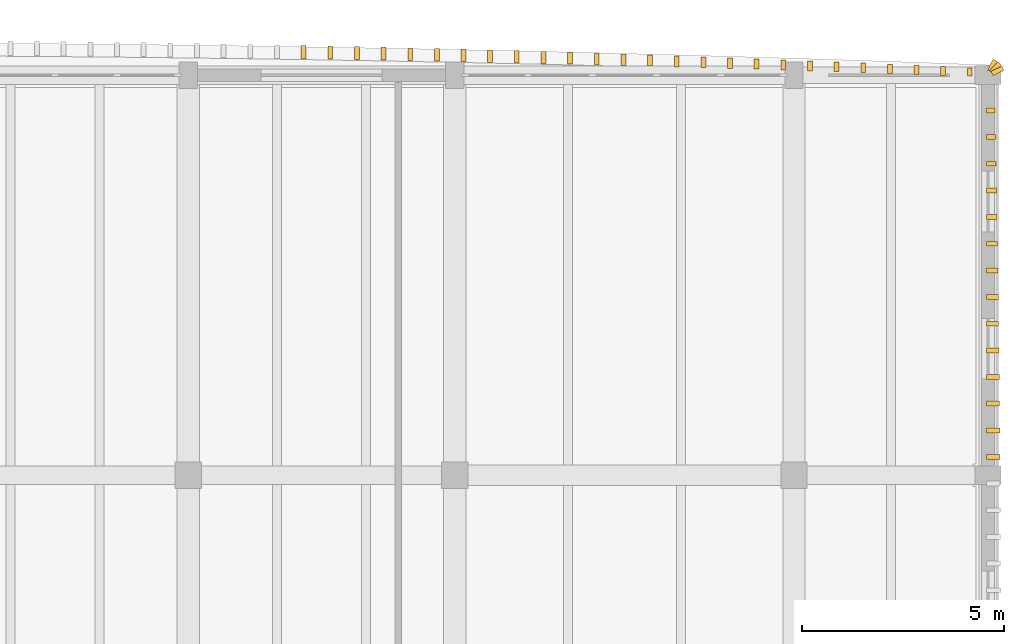
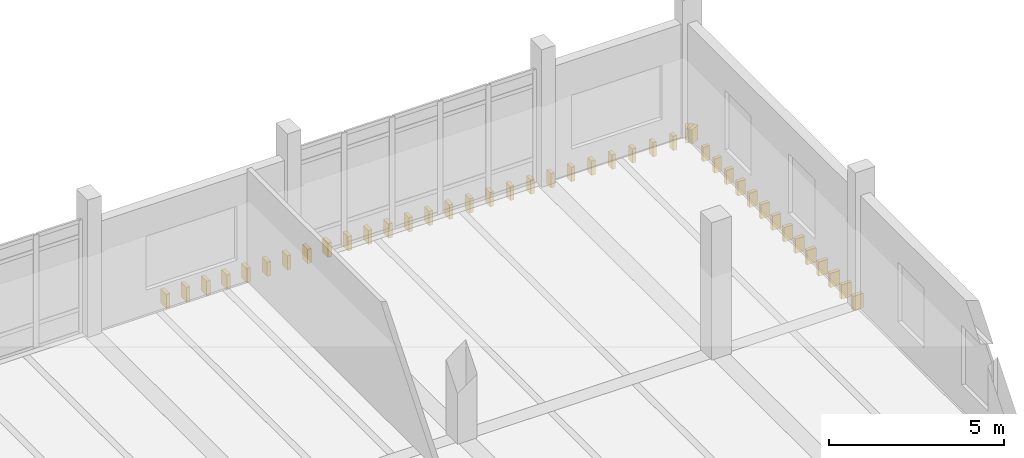
# One storey, part 50 of 50: 43 coverings.
"""IFC4 building model written with IfcOpenShell, lengths in metres."""

from ifc_helpers import new_model, si_unit, direction, frame, origin, origin_2d, place, context, subcontext, project, spatial, rectangle, extrude, material, layer, layer_set, type_object, element, save


model = new_model("IFC4")

# Units and contexts
model_context = context("Model", 3, precision=1e-05, world=origin(), true_north=direction((0.0, 1.0)))
body_context = subcontext(model_context, "Body", "Model", "MODEL_VIEW")
ifc_project = project(units=[si_unit("LENGTHUNIT", "METRE"), si_unit("AREAUNIT", "SQUARE_METRE"), si_unit("VOLUMEUNIT", "CUBIC_METRE"), si_unit("PLANEANGLEUNIT", "RADIAN"), si_unit("MASSUNIT", "GRAM", prefix="KILO")], contexts=[model_context])

# Site, building, storey
site_placement = place(None, origin())
site = spatial("IfcSite", under=ifc_project, at=site_placement, CompositionType="ELEMENT")
building_placement = place(site_placement, origin())
building = spatial("IfcBuilding", under=site, at=building_placement, Name="Dornvale Research Institute", CompositionType="ELEMENT")
storey_placement = place(building_placement, frame((0.0, 0.0, 19.800048828125)))
storey = spatial("IfcBuildingStorey", under=building, at=storey_placement, Name="L04", CompositionType="ELEMENT", Elevation=19.800048828125)

# Coverings
ifc_material = material(Name="Polychrome Glazed Terracotta Visor Rib Ceramic", Category="masonry")
ifc_layer = layer(ifc_material, 0.1201171875)
ifc_layer_set = layer_set([ifc_layer], Name="Polychrome Glazed Terracotta Visor Rib Ceramic")
covering_type = type_object("IfcCoveringType", Name="Covering_VisorBlade_Low", PredefinedType="CLADDING", material=ifc_layer_set)
covering_1_placement = place(storey_placement, frame((177.750244140625, 122.1787109375, -0.489990234375), z_axis=(0.0, 0.0, 1.0), x_axis=(0.0, 1.0, 0.0)))
element("IfcCovering", 1, at=covering_1_placement, inside=storey, type_object=covering_type, Name="L04 V4 canted glazed terracotta visor blade #2622", PredefinedType="CLADDING", context=body_context, shape_type="SweptSolid", body=[
    extrude(rectangle(XDim=0.205078125, YDim=0.1201171875, at=origin_2d()), origin(), (0.0, 0.0, 1.0), 0.5),
])
covering_2_placement = place(storey_placement, frame((177.0908203125, 122.205810546875, -0.489990234375), z_axis=(0.0, 0.0, 1.0), x_axis=(0.0, 1.0, 0.0)))
element("IfcCovering", 2, at=covering_2_placement, inside=storey, type_object=covering_type, Name="L04 V4 canted glazed terracotta visor blade #2623", PredefinedType="CLADDING", context=body_context, shape_type="SweptSolid", body=[
    extrude(rectangle(XDim=0.2119140625, YDim=0.1201171875, at=origin_2d()), origin(), (0.0, 0.0, 1.0), 0.5),
])
covering_3_placement = place(storey_placement, frame((176.43115234375, 122.232421875, -0.489990234375), z_axis=(0.0, 0.0, 1.0), x_axis=(0.0, 1.0, 0.0)))
element("IfcCovering", 3, at=covering_3_placement, inside=storey, type_object=covering_type, Name="L04 V4 canted glazed terracotta visor blade #2624", PredefinedType="CLADDING", context=body_context, shape_type="SweptSolid", body=[
    extrude(rectangle(XDim=0.218017578125, YDim=0.1201171875, at=origin_2d()), origin(), (0.0, 0.0, 1.0), 0.5),
])
covering_4_placement = place(storey_placement, frame((175.771484375, 122.25830078125, -0.489990234375), z_axis=(0.0, 0.0, 1.0), x_axis=(0.0, 1.0, 0.0)))
element("IfcCovering", 4, at=covering_4_placement, inside=storey, type_object=covering_type, Name="L04 V4 canted glazed terracotta visor blade #2625", PredefinedType="CLADDING", context=body_context, shape_type="SweptSolid", body=[
    extrude(rectangle(XDim=0.22509765625, YDim=0.1201171875, at=origin_2d()), origin(), (0.0, 0.0, 1.0), 0.5),
])
covering_5_placement = place(storey_placement, frame((175.11181640625, 122.2841796875, -0.489990234375), z_axis=(0.0, 0.0, 1.0), x_axis=(0.0, 1.0, 0.0)))
element("IfcCovering", 5, at=covering_5_placement, inside=storey, type_object=covering_type, Name="L04 V4 canted glazed terracotta visor blade #2626", PredefinedType="CLADDING", context=body_context, shape_type="SweptSolid", body=[
    extrude(rectangle(XDim=0.23193359375, YDim=0.1201171875, at=origin_2d()), origin(), (0.0, 0.0, 1.0), 0.5),
])
covering_6_placement = place(storey_placement, frame((174.4521484375, 122.30859375, -0.489990234375), z_axis=(0.0, 0.0, 1.0), x_axis=(0.0, 1.0, 0.0)))
element("IfcCovering", 6, at=covering_6_placement, inside=storey, type_object=covering_type, Name="L04 V4 canted glazed terracotta visor blade #2627", PredefinedType="CLADDING", context=body_context, shape_type="SweptSolid", body=[
    extrude(rectangle(XDim=0.238037109375, YDim=0.1201171875, at=origin_2d()), origin(), (0.0, 0.0, 1.0), 0.5),
])
covering_7_placement = place(storey_placement, frame((173.79248046875, 122.332763671875, -0.489990234375), z_axis=(0.0, 0.0, 1.0), x_axis=(0.0, 1.0, 0.0)))
element("IfcCovering", 7, at=covering_7_placement, inside=storey, type_object=covering_type, Name="L04 V4 canted glazed terracotta visor blade #2628", PredefinedType="CLADDING", context=body_context, shape_type="SweptSolid", body=[
    extrude(rectangle(XDim=0.243896484375, YDim=0.1201171875, at=origin_2d()), origin(), (0.0, 0.0, 1.0), 0.5),
])
covering_8_placement = place(storey_placement, frame((173.1328125, 122.356689453125, -0.489990234375), z_axis=(0.0, 0.0, 1.0), x_axis=(0.0, 1.0, 0.0)))
element("IfcCovering", 8, at=covering_8_placement, inside=storey, type_object=covering_type, Name="L04 V4 canted glazed terracotta visor blade #2629", PredefinedType="CLADDING", context=body_context, shape_type="SweptSolid", body=[
    extrude(rectangle(XDim=0.25, YDim=0.1201171875, at=origin_2d()), origin(), (0.0, 0.0, 1.0), 0.5),
])
covering_9_placement = place(storey_placement, frame((172.47314453125, 122.37939453125, -0.489990234375), z_axis=(0.0, 0.0, 1.0), x_axis=(0.0, 1.0, 0.0)))
element("IfcCovering", 9, at=covering_9_placement, inside=storey, type_object=covering_type, Name="L04 V4 canted glazed terracotta visor blade #2630", PredefinedType="CLADDING", context=body_context, shape_type="SweptSolid", body=[
    extrude(rectangle(XDim=0.256103515625, YDim=0.1201171875, at=origin_2d()), origin(), (0.0, 0.0, 1.0), 0.5),
])
covering_10_placement = place(storey_placement, frame((171.8134765625, 122.4013671875, -0.489990234375), z_axis=(0.0, 0.0, 1.0), x_axis=(0.0, 1.0, 0.0)))
element("IfcCovering", 10, at=covering_10_placement, inside=storey, type_object=covering_type, Name="L04 V4 canted glazed terracotta visor blade #2631", PredefinedType="CLADDING", context=body_context, shape_type="SweptSolid", body=[
    extrude(rectangle(XDim=0.260986328125, YDim=0.1201171875, at=origin_2d()), origin(), (0.0, 0.0, 1.0), 0.5),
])
covering_11_placement = place(storey_placement, frame((171.15380859375, 122.423095703125, -0.489990234375), z_axis=(0.0, 0.0, 1.0), x_axis=(0.0, 1.0, 0.0)))
element("IfcCovering", 11, at=covering_11_placement, inside=storey, type_object=covering_type, Name="L04 V4 canted glazed terracotta visor blade #2632", PredefinedType="CLADDING", context=body_context, shape_type="SweptSolid", body=[
    extrude(rectangle(XDim=0.26708984375, YDim=0.1201171875, at=origin_2d()), origin(), (0.0, 0.0, 1.0), 0.5),
])
covering_12_placement = place(storey_placement, frame((170.493896484375, 122.444091796875, -0.489990234375), z_axis=(0.0, 0.0, 1.0), x_axis=(0.0, 1.0, 0.0)))
element("IfcCovering", 12, at=covering_12_placement, inside=storey, type_object=covering_type, Name="L04 V4 canted glazed terracotta visor blade #2633", PredefinedType="CLADDING", context=body_context, shape_type="SweptSolid", body=[
    extrude(rectangle(XDim=0.27197265625, YDim=0.1201171875, at=origin_2d()), origin(), (0.0, 0.0, 1.0), 0.5),
])
covering_13_placement = place(storey_placement, frame((169.834228515625, 122.464599609375, -0.489990234375), z_axis=(0.0, 0.0, 1.0), x_axis=(0.0, 1.0, 0.0)))
element("IfcCovering", 13, at=covering_13_placement, inside=storey, type_object=covering_type, Name="L04 V4 canted glazed terracotta visor blade #2634", PredefinedType="CLADDING", context=body_context, shape_type="SweptSolid", body=[
    extrude(rectangle(XDim=0.277099609375, YDim=0.1201171875, at=origin_2d()), origin(), (0.0, 0.0, 1.0), 0.5),
])
covering_14_placement = place(storey_placement, frame((169.174560546875, 122.484130859375, -0.489990234375), z_axis=(0.0, 0.0, 1.0), x_axis=(0.0, 1.0, 0.0)))
element("IfcCovering", 14, at=covering_14_placement, inside=storey, type_object=covering_type, Name="L04 V4 canted glazed terracotta visor blade #2635", PredefinedType="CLADDING", context=body_context, shape_type="SweptSolid", body=[
    extrude(rectangle(XDim=0.281982421875, YDim=0.1201171875, at=origin_2d()), origin(), (0.0, 0.0, 1.0), 0.5),
])
covering_15_placement = place(storey_placement, frame((168.5146484375, 122.503662109375, -0.489990234375), z_axis=(0.0, 0.0, 1.0), x_axis=(0.0, 1.0, 0.0)))
element("IfcCovering", 15, at=covering_15_placement, inside=storey, type_object=covering_type, Name="L04 V4 canted glazed terracotta visor blade #2636", PredefinedType="CLADDING", context=body_context, shape_type="SweptSolid", body=[
    extrude(rectangle(XDim=0.287109375, YDim=0.1201171875, at=origin_2d()), origin(), (0.0, 0.0, 1.0), 0.5),
])
covering_16_placement = place(storey_placement, frame((167.85498046875, 122.522216796875, -0.489990234375), z_axis=(0.0, 0.0, 1.0), x_axis=(0.0, 1.0, 0.0)))
element("IfcCovering", 16, at=covering_16_placement, inside=storey, type_object=covering_type, Name="L04 V4 canted glazed terracotta visor blade #2637", PredefinedType="CLADDING", context=body_context, shape_type="SweptSolid", body=[
    extrude(rectangle(XDim=0.2919921875, YDim=0.1201171875, at=origin_2d()), origin(), (0.0, 0.0, 1.0), 0.5),
])
covering_17_placement = place(storey_placement, frame((167.195068359375, 122.540283203125, -0.489990234375), z_axis=(0.0, 0.0, 1.0), x_axis=(0.0, 1.0, 0.0)))
element("IfcCovering", 17, at=covering_17_placement, inside=storey, type_object=covering_type, Name="L04 V4 canted glazed terracotta visor blade #2638", PredefinedType="CLADDING", context=body_context, shape_type="SweptSolid", body=[
    extrude(rectangle(XDim=0.297119140625, YDim=0.1201171875, at=origin_2d()), origin(), (0.0, 0.0, 1.0), 0.5),
])
covering_18_placement = place(storey_placement, frame((166.535400390625, 122.5576171875, -0.489990234375), z_axis=(0.0, 0.0, 1.0), x_axis=(0.0, 1.0, 0.0)))
element("IfcCovering", 18, at=covering_18_placement, inside=storey, type_object=covering_type, Name="L04 V4 canted glazed terracotta visor blade #2639", PredefinedType="CLADDING", context=body_context, shape_type="SweptSolid", body=[
    extrude(rectangle(XDim=0.301025390625, YDim=0.1201171875, at=origin_2d()), origin(), (0.0, 0.0, 1.0), 0.5),
])
covering_19_placement = place(storey_placement, frame((165.87548828125, 122.57373046875, -0.489990234375), z_axis=(0.0, 0.0, 1.0), x_axis=(0.0, 1.0, 0.0)))
element("IfcCovering", 19, at=covering_19_placement, inside=storey, type_object=covering_type, Name="L04 V4 canted glazed terracotta visor blade #2640", PredefinedType="CLADDING", context=body_context, shape_type="SweptSolid", body=[
    extrude(rectangle(XDim=0.304931640625, YDim=0.1201171875, at=origin_2d()), origin(), (0.0, 0.0, 1.0), 0.5),
])
covering_20_placement = place(storey_placement, frame((165.215576171875, 122.590087890625, -0.489990234375), z_axis=(0.0, 0.0, 1.0), x_axis=(0.0, 1.0, 0.0)))
element("IfcCovering", 20, at=covering_20_placement, inside=storey, type_object=covering_type, Name="L04 V4 canted glazed terracotta visor blade #2641", PredefinedType="CLADDING", context=body_context, shape_type="SweptSolid", body=[
    extrude(rectangle(XDim=0.30908203125, YDim=0.1201171875, at=origin_2d()), origin(), (0.0, 0.0, 1.0), 0.5),
])
covering_21_placement = place(storey_placement, frame((164.5556640625, 122.60546875, -0.489990234375), z_axis=(0.0, 0.0, 1.0), x_axis=(0.0, 1.0, 0.0)))
element("IfcCovering", 21, at=covering_21_placement, inside=storey, type_object=covering_type, Name="L04 V4 canted glazed terracotta visor blade #2642", PredefinedType="CLADDING", context=body_context, shape_type="SweptSolid", body=[
    extrude(rectangle(XDim=0.31298828125, YDim=0.1201171875, at=origin_2d()), origin(), (0.0, 0.0, 1.0), 0.5),
])
covering_22_placement = place(storey_placement, frame((163.895751953125, 122.620361328125, -0.489990234375), z_axis=(0.0, 0.0, 1.0), x_axis=(0.0, 1.0, 0.0)))
element("IfcCovering", 22, at=covering_22_placement, inside=storey, type_object=covering_type, Name="L04 V4 canted glazed terracotta visor blade #2643", PredefinedType="CLADDING", context=body_context, shape_type="SweptSolid", body=[
    extrude(rectangle(XDim=0.31689453125, YDim=0.1201171875, at=origin_2d()), origin(), (0.0, 0.0, 1.0), 0.5),
])
covering_23_placement = place(storey_placement, frame((163.236083984375, 122.635009765625, -0.489990234375), z_axis=(0.0, 0.0, 1.0), x_axis=(0.0, 1.0, 0.0)))
element("IfcCovering", 23, at=covering_23_placement, inside=storey, type_object=covering_type, Name="L04 V4 canted glazed terracotta visor blade #2644", PredefinedType="CLADDING", context=body_context, shape_type="SweptSolid", body=[
    extrude(rectangle(XDim=0.321044921875, YDim=0.1201171875, at=origin_2d()), origin(), (0.0, 0.0, 1.0), 0.5),
])
covering_24_placement = place(storey_placement, frame((162.576171875, 122.648193359375, -0.489990234375), z_axis=(0.0, 0.0, 1.0), x_axis=(0.0, 1.0, 0.0)))
element("IfcCovering", 24, at=covering_24_placement, inside=storey, type_object=covering_type, Name="L04 V4 canted glazed terracotta visor blade #2645", PredefinedType="CLADDING", context=body_context, shape_type="SweptSolid", body=[
    extrude(rectangle(XDim=0.323974609375, YDim=0.1201171875, at=origin_2d()), origin(), (0.0, 0.0, 1.0), 0.5),
])
covering_25_placement = place(storey_placement, frame((161.916259765625, 122.6611328125, -0.489990234375), z_axis=(0.0, 0.0, 1.0), x_axis=(0.0, 1.0, 0.0)))
element("IfcCovering", 25, at=covering_25_placement, inside=storey, type_object=covering_type, Name="L04 V4 canted glazed terracotta visor blade #2646", PredefinedType="CLADDING", context=body_context, shape_type="SweptSolid", body=[
    extrude(rectangle(XDim=0.326904296875, YDim=0.1201171875, at=origin_2d()), origin(), (0.0, 0.0, 1.0), 0.5),
])
covering_26_placement = place(storey_placement, frame((161.256103515625, 122.673095703125, -0.489990234375), z_axis=(0.0, 0.0, 1.0), x_axis=(0.0, 1.0, 0.0)))
element("IfcCovering", 26, at=covering_26_placement, inside=storey, type_object=covering_type, Name="L04 V4 canted glazed terracotta visor blade #2647", PredefinedType="CLADDING", context=body_context, shape_type="SweptSolid", body=[
    extrude(rectangle(XDim=0.330078125, YDim=0.1201171875, at=origin_2d()), origin(), (0.0, 0.0, 1.0), 0.5),
])
covering_27_placement = place(storey_placement, frame((178.32958984375, 112.64990234375, -0.489990234375), z_axis=(0.0, 0.0, 1.0), x_axis=(1.0, 0.0, 0.0)))
element("IfcCovering", 27, at=covering_27_placement, inside=storey, type_object=covering_type, Name="L04 V4 canted glazed terracotta visor blade #2741", PredefinedType="CLADDING", context=body_context, shape_type="SweptSolid", body=[
    extrude(rectangle(XDim=0.339111328125, YDim=0.1201171875, at=origin_2d()), origin(), (0.0, 0.0, 1.0), 0.5),
])
covering_28_placement = place(storey_placement, frame((178.326416015625, 113.31005859375, -0.489990234375), z_axis=(0.0, 0.0, 1.0), x_axis=(1.0, 0.0, 0.0)))
element("IfcCovering", 28, at=covering_28_placement, inside=storey, type_object=covering_type, Name="L04 V4 canted glazed terracotta visor blade #2742", PredefinedType="CLADDING", context=body_context, shape_type="SweptSolid", body=[
    extrude(rectangle(XDim=0.3330078125, YDim=0.1201171875, at=origin_2d()), origin(), (0.0, 0.0, 1.0), 0.5),
])
covering_29_placement = place(storey_placement, frame((178.323486328125, 113.969970703125, -0.489990234375), z_axis=(0.0, 0.0, 1.0), x_axis=(1.0, 0.0, 0.0)))
element("IfcCovering", 29, at=covering_29_placement, inside=storey, type_object=covering_type, Name="L04 V4 canted glazed terracotta visor blade #2743", PredefinedType="CLADDING", context=body_context, shape_type="SweptSolid", body=[
    extrude(rectangle(XDim=0.326904296875, YDim=0.1201171875, at=origin_2d()), origin(), (0.0, 0.0, 1.0), 0.5),
])
covering_30_placement = place(storey_placement, frame((178.320068359375, 114.6298828125, -0.489990234375), z_axis=(0.0, 0.0, 1.0), x_axis=(1.0, 0.0, 0.0)))
element("IfcCovering", 30, at=covering_30_placement, inside=storey, type_object=covering_type, Name="L04 V4 canted glazed terracotta visor blade #2744", PredefinedType="CLADDING", context=body_context, shape_type="SweptSolid", body=[
    extrude(rectangle(XDim=0.320068359375, YDim=0.1201171875, at=origin_2d()), origin(), (0.0, 0.0, 1.0), 0.5),
])
covering_31_placement = place(storey_placement, frame((178.31640625, 115.2900390625, -0.489990234375), z_axis=(0.0, 0.0, 1.0), x_axis=(1.0, 0.0, 0.0)))
element("IfcCovering", 31, at=covering_31_placement, inside=storey, type_object=covering_type, Name="L04 V4 canted glazed terracotta visor blade #2745", PredefinedType="CLADDING", context=body_context, shape_type="SweptSolid", body=[
    extrude(rectangle(XDim=0.31298828125, YDim=0.1201171875, at=origin_2d()), origin(), (0.0, 0.0, 1.0), 0.5),
])
covering_32_placement = place(storey_placement, frame((178.3125, 115.949951171875, -0.489990234375), z_axis=(0.0, 0.0, 1.0), x_axis=(1.0, 0.0, 0.0)))
element("IfcCovering", 32, at=covering_32_placement, inside=storey, type_object=covering_type, Name="L04 V4 canted glazed terracotta visor blade #2746", PredefinedType="CLADDING", context=body_context, shape_type="SweptSolid", body=[
    extrude(rectangle(XDim=0.304931640625, YDim=0.1201171875, at=origin_2d()), origin(), (0.0, 0.0, 1.0), 0.5),
])
covering_33_placement = place(storey_placement, frame((178.30810546875, 116.610107421875, -0.489990234375), z_axis=(0.0, 0.0, 1.0), x_axis=(1.0, 0.0, 0.0)))
element("IfcCovering", 33, at=covering_33_placement, inside=storey, type_object=covering_type, Name="L04 V4 canted glazed terracotta visor blade #2747", PredefinedType="CLADDING", context=body_context, shape_type="SweptSolid", body=[
    extrude(rectangle(XDim=0.2958984375, YDim=0.1201171875, at=origin_2d()), origin(), (0.0, 0.0, 1.0), 0.5),
])
covering_34_placement = place(storey_placement, frame((178.303466796875, 117.27001953125, -0.489990234375), z_axis=(0.0, 0.0, 1.0), x_axis=(1.0, 0.0, 0.0)))
element("IfcCovering", 34, at=covering_34_placement, inside=storey, type_object=covering_type, Name="L04 V4 canted glazed terracotta visor blade #2748", PredefinedType="CLADDING", context=body_context, shape_type="SweptSolid", body=[
    extrude(rectangle(XDim=0.287109375, YDim=0.1201171875, at=origin_2d()), origin(), (0.0, 0.0, 1.0), 0.5),
])
covering_35_placement = place(storey_placement, frame((178.298583984375, 117.929931640625, -0.489990234375), z_axis=(0.0, 0.0, 1.0), x_axis=(1.0, 0.0, 0.0)))
element("IfcCovering", 35, at=covering_35_placement, inside=storey, type_object=covering_type, Name="L04 V4 canted glazed terracotta visor blade #2749", PredefinedType="CLADDING", context=body_context, shape_type="SweptSolid", body=[
    extrude(rectangle(XDim=0.277099609375, YDim=0.1201171875, at=origin_2d()), origin(), (0.0, 0.0, 1.0), 0.5),
])
covering_36_placement = place(storey_placement, frame((178.29345703125, 118.590087890625, -0.489990234375), z_axis=(0.0, 0.0, 1.0), x_axis=(1.0, 0.0, 0.0)))
element("IfcCovering", 36, at=covering_36_placement, inside=storey, type_object=covering_type, Name="L04 V4 canted glazed terracotta visor blade #2750", PredefinedType="CLADDING", context=body_context, shape_type="SweptSolid", body=[
    extrude(rectangle(XDim=0.26708984375, YDim=0.1201171875, at=origin_2d()), origin(), (0.0, 0.0, 1.0), 0.5),
])
covering_37_placement = place(storey_placement, frame((178.2880859375, 119.25, -0.489990234375), z_axis=(0.0, 0.0, 1.0), x_axis=(1.0, 0.0, 0.0)))
element("IfcCovering", 37, at=covering_37_placement, inside=storey, type_object=covering_type, Name="L04 V4 canted glazed terracotta visor blade #2751", PredefinedType="CLADDING", context=body_context, shape_type="SweptSolid", body=[
    extrude(rectangle(XDim=0.256103515625, YDim=0.1201171875, at=origin_2d()), origin(), (0.0, 0.0, 1.0), 0.5),
])
covering_38_placement = place(storey_placement, frame((178.281982421875, 119.909912109375, -0.489990234375), z_axis=(0.0, 0.0, 1.0), x_axis=(1.0, 0.0, 0.0)))
element("IfcCovering", 38, at=covering_38_placement, inside=storey, type_object=covering_type, Name="L04 V4 canted glazed terracotta visor blade #2752", PredefinedType="CLADDING", context=body_context, shape_type="SweptSolid", body=[
    extrude(rectangle(XDim=0.243896484375, YDim=0.1201171875, at=origin_2d()), origin(), (0.0, 0.0, 1.0), 0.5),
])
covering_39_placement = place(storey_placement, frame((178.275390625, 120.570068359375, -0.489990234375), z_axis=(0.0, 0.0, 1.0), x_axis=(1.0, 0.0, 0.0)))
element("IfcCovering", 39, at=covering_39_placement, inside=storey, type_object=covering_type, Name="L04 V4 canted glazed terracotta visor blade #2753", PredefinedType="CLADDING", context=body_context, shape_type="SweptSolid", body=[
    extrude(rectangle(XDim=0.23095703125, YDim=0.1201171875, at=origin_2d()), origin(), (0.0, 0.0, 1.0), 0.5),
])
covering_40_placement = place(storey_placement, frame((178.26904296875, 121.22998046875, -0.489990234375), z_axis=(0.0, 0.0, 1.0), x_axis=(1.0, 0.0, 0.0)))
element("IfcCovering", 40, at=covering_40_placement, inside=storey, type_object=covering_type, Name="L04 V4 canted glazed terracotta visor blade #2754", PredefinedType="CLADDING", context=body_context, shape_type="SweptSolid", body=[
    extrude(rectangle(XDim=0.218017578125, YDim=0.1201171875, at=origin_2d()), origin(), (0.0, 0.0, 1.0), 0.5),
])
for number, where, z_axis, x_axis, name in (
    (41, (178.435546875, 122.2099609375, -0.489990234375), (0.0, 0.0, 1.0), (0.906307787037, 0.422618261741, 0.0), "L04 V4 corner-wrapping visor blade #2805"),
    (42, (178.3837890625, 122.28369140625, -0.489990234375), (0.0, 0.0, 1.0), (0.707106781187, 0.707106781187, 0.0), "L04 V4 corner-wrapping visor blade #2806"),
    (43, (178.309814453125, 122.335693359375, -0.489990234375), (0.0, 0.0, 1.0), (0.422618261741, 0.906307787037, 0.0), "L04 V4 corner-wrapping visor blade #2807"),
):
    element("IfcCovering", number, at=place(storey_placement, frame(where, z_axis=z_axis, x_axis=x_axis)), inside=storey, type_object=covering_type, Name=name, PredefinedType="CLADDING", context=body_context, shape_type="SweptSolid", body=[
        extrude(rectangle(XDim=0.300048828125, YDim=0.1201171875, at=origin_2d()), origin(), (0.0, 0.0, 1.0), 0.5),
    ])

save(model, "model.ifc")
